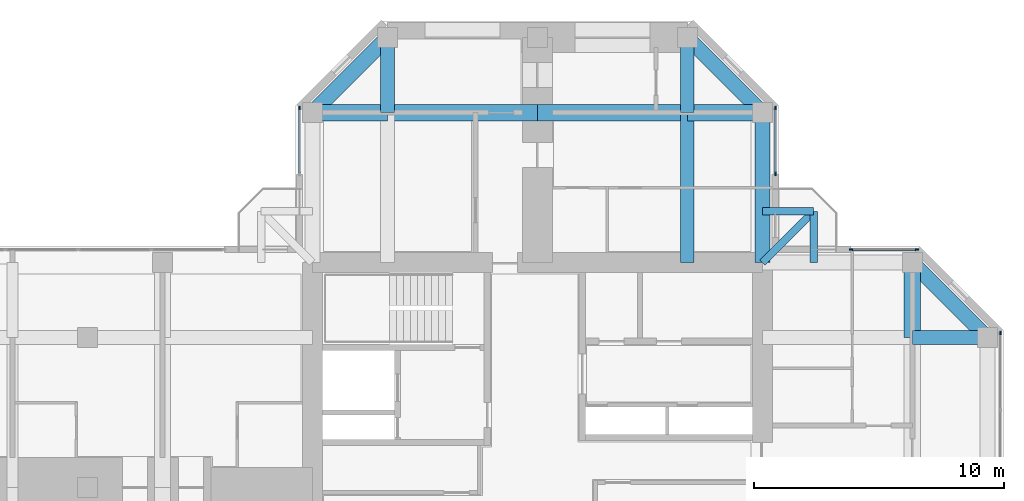
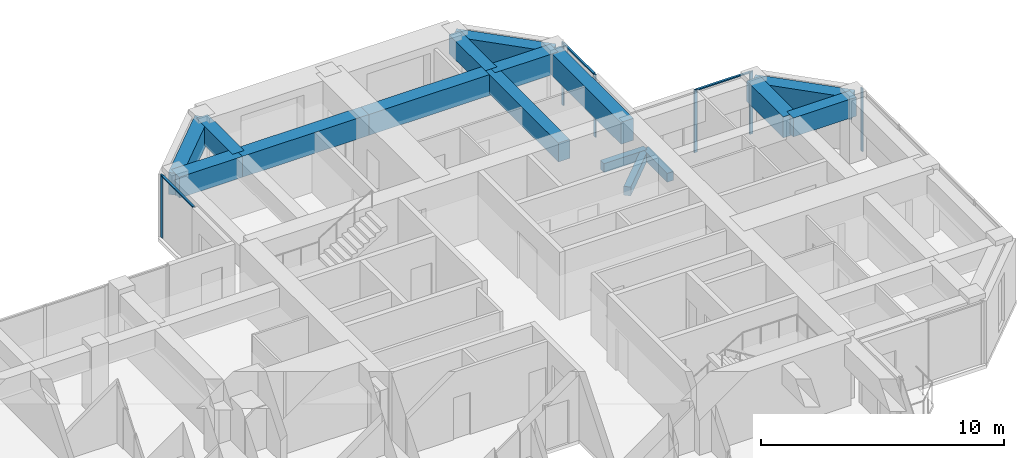
# One storey, part 6 of 13: 16 beams, 9 members, 4 elements without a shape of their own.
"""IFC4 building model written with IfcOpenShell, lengths in metres."""

from ifc_helpers import new_model, si_unit, direction, frame, origin, origin_2d, place, context, subcontext, project, spatial, rectangle, extrude, material, material_profile, profile_set, type_object, element, aggregate, save


model = new_model("IFC4")

# Units and contexts
model_context = context("Model", 3, precision=1e-05, world=origin(), true_north=direction((0.0, 1.0)))
body_context = subcontext(model_context, "Body", "Model", "MODEL_VIEW")
ifc_project = project(units=[si_unit("LENGTHUNIT", "METRE"), si_unit("AREAUNIT", "SQUARE_METRE"), si_unit("VOLUMEUNIT", "CUBIC_METRE"), si_unit("PLANEANGLEUNIT", "RADIAN"), si_unit("MASSUNIT", "GRAM", prefix="KILO")], contexts=[model_context])

# Site, building, storey
site_placement = place(None, origin())
site = spatial("IfcSite", under=ifc_project, at=site_placement, CompositionType="ELEMENT")
building_placement = place(site_placement, origin())
building = spatial("IfcBuilding", under=site, at=building_placement, Name="Torre Cruceta", CompositionType="ELEMENT")
storey_placement = place(building_placement, frame((0.0, 0.0, 249.300048828125)))
storey = spatial("IfcBuildingStorey", under=building, at=storey_placement, Name="L64", CompositionType="ELEMENT", Elevation=249.300048828125)

# Beams
ifc_material_1 = material(Name="Concrete G60 (fck 60 MPa)", Category="concrete")
ifc_material_profile_1 = material_profile(ifc_material_1, rectangle(XDim=0.300048828125, YDim=0.449951171875, at=origin_2d()), Name="RC 300X450")
ifc_profile_set_1 = profile_set([ifc_material_profile_1], Name="Concrete G60 (fck 60 MPa)")
beam_type_1 = type_object("IfcBeamType", Name="BALCONY CANTILEVER BEAM RC 300X450", PredefinedType="BEAM", material=ifc_profile_set_1)
beam_1_placement = place(storey_placement, frame((9.0, 9.0, -0.405029296875), z_axis=(0.707106781187, 0.707106781187, 0.0), x_axis=(-0.707106781187, 0.707106781187, 0.0)))
element("IfcBeam", 1, at=beam_1_placement, inside=storey, type_object=beam_type_1, Name="BB1 balcony beam L64 E", PredefinedType="BEAM", context=body_context, shape_type="SweptSolid", body=[
    extrude(rectangle(XDim=0.300048828125, YDim=0.449951171875, at=origin_2d()), origin(), (0.0, 0.0, 1.0), 2.89990234375),
])
for number, where, z_axis, x_axis, name in (
    (2, (11.050537109375, 9.0, -0.405029296875), (0.0, 1.0, 0.0), (-1.0, 0.0, 0.0), "BB1 balcony edge beam L64 E-X"),
    (3, (9.0, 11.050537109375, -0.405029296875), (1.0, 0.0, 0.0), (0.0, 1.0, 0.0), "BB1 balcony edge beam L64 E-Y"),
):
    element("IfcBeam", number, at=place(storey_placement, frame(where, z_axis=z_axis, x_axis=x_axis)), inside=storey, type_object=beam_type_1, Name=name, PredefinedType="BEAM", context=body_context, shape_type="SweptSolid", body=[
        extrude(rectangle(XDim=0.300048828125, YDim=0.449951171875, at=origin_2d()), origin(), (0.0, 0.0, 1.0), 2.050537109375),
    ])
ifc_material_2 = material(Name="Concrete G60 (fck 60 MPa)", Category="concrete")
ifc_material_profile_2 = material_profile(ifc_material_2, rectangle(XDim=0.550048828125, YDim=0.949951171875, at=origin_2d()), Name="RC 550X950")
ifc_profile_set_2 = profile_set([ifc_material_profile_2], Name="Concrete G60 (fck 60 MPa)")
beam_type_2 = type_object("IfcBeamType", Name="COLUMN LINE BEAM RC 550X950", PredefinedType="BEAM", material=ifc_profile_set_2)
beam_2_placement = place(storey_placement, frame((6.0, 9.0, 2.675048828125), z_axis=(0.0, 1.0, 0.0), x_axis=(-1.0, 0.0, 0.0)))
element("IfcBeam", 4, at=beam_2_placement, inside=storey, type_object=beam_type_2, Name="LB3 L64 N col- 1", PredefinedType="BEAM", context=body_context, shape_type="SweptSolid", body=[
    extrude(rectangle(XDim=0.550048828125, YDim=0.949951171875, at=origin_2d()), origin(), (0.0, 0.0, 1.0), 6.0),
])
for number, where, z_axis, x_axis, name in (
    (5, (6.0, 15.0, 2.675048828125), (0.0, 1.0, 0.0), (-1.0, 0.0, 0.0), "LB3 L64 N col- 2"),
    (6, (-6.0, 15.0, 2.675048828125), (0.0, 1.0, 0.0), (-1.0, 0.0, 0.0), "LB3 L64 N col+ 2"),
    (7, (15.0, 6.0, 2.675048828125), (1.0, 0.0, 0.0), (0.0, 1.0, 0.0), "LB3 L64 E col+ 2"),
):
    element("IfcBeam", number, at=place(storey_placement, frame(where, z_axis=z_axis, x_axis=x_axis)), inside=storey, type_object=beam_type_2, Name=name, PredefinedType="BEAM", context=body_context, shape_type="SweptSolid", body=[
        extrude(rectangle(XDim=0.550048828125, YDim=0.949951171875, at=origin_2d()), origin(), (0.0, 0.0, 1.0), 3.0),
    ])
ifc_material_3 = material(Name="Concrete G60 (fck 60 MPa)", Category="concrete")
ifc_material_profile_3 = material_profile(ifc_material_3, rectangle(XDim=0.64990234375, YDim=1.050048828125, at=origin_2d()), Name="RC 650X1050")
ifc_profile_set_3 = profile_set([ifc_material_profile_3], Name="Concrete G60 (fck 60 MPa)")
beam_type_3 = type_object("IfcBeamType", Name="CROSS BEAM RC 650X1050", PredefinedType="BEAM", material=ifc_profile_set_3)
beam_3_placement = place(storey_placement, frame((9.0, 15.0, 2.625), z_axis=(-1.0, 0.0, 0.0), x_axis=(0.0, -1.0, 0.0)))
element("IfcBeam", 8, at=beam_3_placement, inside=storey, type_object=beam_type_3, Name="GB3 L64 N cross15 1", PredefinedType="BEAM", context=body_context, shape_type="SweptSolid", body=[
    extrude(rectangle(XDim=0.64990234375, YDim=1.050048828125, at=origin_2d()), origin(), (0.0, 0.0, 1.0), 3.0),
])
for number, where, z_axis, x_axis, name in (
    (9, (6.0, 15.0, 2.625), (-1.0, 0.0, 0.0), (0.0, -1.0, 0.0), "GB3 L64 N cross15 2"),
    (10, (0.0, 15.0, 2.625), (-1.0, 0.0, 0.0), (0.0, -1.0, 0.0), "GB3 L64 N cross15 3"),
):
    element("IfcBeam", number, at=place(storey_placement, frame(where, z_axis=z_axis, x_axis=x_axis)), inside=storey, type_object=beam_type_3, Name=name, PredefinedType="BEAM", context=body_context, shape_type="SweptSolid", body=[
        extrude(rectangle(XDim=0.64990234375, YDim=1.050048828125, at=origin_2d()), origin(), (0.0, 0.0, 1.0), 6.0),
    ])
for number, where, z_axis, x_axis, name in (
    (11, (-6.0, 15.0, 2.625), (-1.0, 0.0, 0.0), (0.0, -1.0, 0.0), "GB3 L64 N cross15 4"),
    (12, (15.0, 6.0, 2.625), (0.0, 1.0, 0.0), (-1.0, 0.0, 0.0), "GB3 L64 E cross15 4"),
):
    element("IfcBeam", number, at=place(storey_placement, frame(where, z_axis=z_axis, x_axis=x_axis)), inside=storey, type_object=beam_type_3, Name=name, PredefinedType="BEAM", context=body_context, shape_type="SweptSolid", body=[
        extrude(rectangle(XDim=0.64990234375, YDim=1.050048828125, at=origin_2d()), origin(), (0.0, 0.0, 1.0), 3.0),
    ])

# Curtain wall, member
ifc_material_4 = material(Name="Aluminium unitised curtain wall", Category="aluminium")
curtain_wall_type = type_object("IfcCurtainWallType", Name="CURTAIN WALL CW-D CO-LIVING UPPER", PredefinedType="USERDEFINED", material=ifc_material_4)
curtain_wall_1_placement = place(storey_placement, origin())
curtain_wall_1 = element("IfcCurtainWall", 13, at=curtain_wall_1_placement, inside=storey, type_object=curtain_wall_type, Name="CW-D L64 E tip 02", ObjectType="UNITISED", PredefinedType="USERDEFINED")
ifc_material_5 = material(Name="Aluminium mullion", Category="aluminium")
ifc_material_profile_4 = material_profile(ifc_material_5, rectangle(XDim=0.06005859375, YDim=0.14990234375, at=origin_2d()), Name="AL 60X150")
ifc_profile_set_4 = profile_set([ifc_material_profile_4], Name="Aluminium mullion")
member_type_1 = type_object("IfcMemberType", Name="CW-D MULLION 60X150", PredefinedType="MULLION", material=ifc_profile_set_4)
member_1_placement = place(storey_placement, frame((18.52001953125, 6.185302734375, 0.0), z_axis=(0.0, 0.0, 1.0), x_axis=(-1.0, 0.0, 0.0)))
member_1 = element("IfcMember", 14, at=member_1_placement, type_object=member_type_1, Name="CW-D mullion 5", PredefinedType="MULLION", context=body_context, shape_type="SweptSolid", body=[
    extrude(rectangle(XDim=0.06005859375, YDim=0.14990234375, at=origin_2d()), origin(), (0.0, 0.0, 1.0), 3.14990234375),
])
aggregate(curtain_wall_1, [member_1])

# Curtain wall, members
curtain_wall_2_placement = place(storey_placement, origin())
curtain_wall_2 = element("IfcCurtainWall", 15, at=curtain_wall_2_placement, inside=storey, type_object=curtain_wall_type, Name="CW-D L64 E side 04", ObjectType="UNITISED", PredefinedType="USERDEFINED")
member_2_placement = place(storey_placement, frame((15.185302734375, 9.52001953125, 0.0), z_axis=(0.0, 0.0, 1.0), x_axis=(0.0, -1.0, 0.0)))
member_2 = element("IfcMember", 16, at=member_2_placement, type_object=member_type_1, Name="CW-D mullion 1", PredefinedType="MULLION", context=body_context, shape_type="SweptSolid", body=[
    extrude(rectangle(XDim=0.06005859375, YDim=0.14990234375, at=origin_2d()), origin(), (0.0, 0.0, 1.0), 3.14990234375),
])
member_3_placement = place(storey_placement, frame((12.550048828125, 9.52001953125, 0.0), z_axis=(0.0, 0.0, 1.0), x_axis=(0.0, -1.0, 0.0)))
member_3 = element("IfcMember", 17, at=member_3_placement, type_object=member_type_1, Name="CW-D mullion 2", PredefinedType="MULLION", context=body_context, shape_type="SweptSolid", body=[
    extrude(rectangle(XDim=0.06005859375, YDim=0.14990234375, at=origin_2d()), origin(), (0.0, 0.0, 1.0), 3.14990234375),
])

curtain_wall_3_placement = place(storey_placement, origin())
curtain_wall_3 = element("IfcCurtainWall", 18, at=curtain_wall_3_placement, inside=storey, type_object=curtain_wall_type, Name="CW-D L64 N side 05", ObjectType="UNITISED", PredefinedType="USERDEFINED")
member_4_placement = place(storey_placement, frame((9.52001953125, 12.550048828125, 0.0), z_axis=(0.0, 0.0, 1.0), x_axis=(-1.0, 0.0, 0.0)))
member_4 = element("IfcMember", 19, at=member_4_placement, type_object=member_type_1, Name="CW-D mullion 1", PredefinedType="MULLION", context=body_context, shape_type="SweptSolid", body=[
    extrude(rectangle(XDim=0.06005859375, YDim=0.14990234375, at=origin_2d()), origin(), (0.0, 0.0, 1.0), 3.14990234375),
])
member_5_placement = place(storey_placement, frame((9.52001953125, 15.185302734375, 0.0), z_axis=(0.0, 0.0, 1.0), x_axis=(-1.0, 0.0, 0.0)))
member_5 = element("IfcMember", 20, at=member_5_placement, type_object=member_type_1, Name="CW-D mullion 2", PredefinedType="MULLION", context=body_context, shape_type="SweptSolid", body=[
    extrude(rectangle(XDim=0.06005859375, YDim=0.14990234375, at=origin_2d()), origin(), (0.0, 0.0, 1.0), 3.14990234375),
])

# Curtain wall, member
curtain_wall_4_placement = place(storey_placement, origin())
curtain_wall_4 = element("IfcCurtainWall", 21, at=curtain_wall_4_placement, inside=storey, type_object=curtain_wall_type, Name="CW-D L64 N side 09", ObjectType="UNITISED", PredefinedType="USERDEFINED")
member_6_placement = place(storey_placement, frame((-9.52001953125, 15.185302734375, 0.0), z_axis=(0.0, 0.0, 1.0), x_axis=(1.0, 0.0, 0.0)))
member_6 = element("IfcMember", 22, at=member_6_placement, type_object=member_type_1, Name="CW-D mullion 1", PredefinedType="MULLION", context=body_context, shape_type="SweptSolid", body=[
    extrude(rectangle(XDim=0.06005859375, YDim=0.14990234375, at=origin_2d()), origin(), (0.0, 0.0, 1.0), 3.14990234375),
])

# Member
ifc_material_6 = material(Name="Aluminium transom", Category="aluminium")
ifc_material_profile_5 = material_profile(ifc_material_6, rectangle(XDim=0.10009765625, YDim=0.06005859375, at=origin_2d()), Name="AL 100X60")
ifc_profile_set_5 = profile_set([ifc_material_profile_5], Name="Aluminium transom")
member_type_2 = type_object("IfcMemberType", Name="CW-D TRANSOM 60X100", PredefinedType="USERDEFINED", material=ifc_profile_set_5)
member_7_placement = place(storey_placement, frame((15.1552734375, 9.52001953125, 3.119873046875), z_axis=(-1.0, 0.0, 0.0), x_axis=(0.0, -1.0, 0.0)))
member_7 = element("IfcMember", 23, at=member_7_placement, type_object=member_type_2, Name="CW-D transom 1", ObjectType="TRANSOM", PredefinedType="USERDEFINED", context=body_context, shape_type="SweptSolid", body=[
    extrude(rectangle(XDim=0.10009765625, YDim=0.06005859375, at=origin_2d()), origin(), (0.0, 0.0, 1.0), 2.5751953125),
])

aggregate(curtain_wall_2, [member_2, member_3, member_7])

member_8_placement = place(storey_placement, frame((9.52001953125, 12.580078125, 3.119873046875), z_axis=(0.0, 1.0, 0.0), x_axis=(-1.0, 0.0, 0.0)))
member_8 = element("IfcMember", 24, at=member_8_placement, type_object=member_type_2, Name="CW-D transom 1", ObjectType="TRANSOM", PredefinedType="USERDEFINED", context=body_context, shape_type="SweptSolid", body=[
    extrude(rectangle(XDim=0.10009765625, YDim=0.06005859375, at=origin_2d()), origin(), (0.0, 0.0, 1.0), 2.5751953125),
])

aggregate(curtain_wall_3, [member_4, member_5, member_8])

member_9_placement = place(storey_placement, frame((-9.52001953125, 15.1552734375, 3.119873046875), z_axis=(0.0, -1.0, 0.0), x_axis=(1.0, 0.0, 0.0)))
member_9 = element("IfcMember", 25, at=member_9_placement, type_object=member_type_2, Name="CW-D transom 1", ObjectType="TRANSOM", PredefinedType="USERDEFINED", context=body_context, shape_type="SweptSolid", body=[
    extrude(rectangle(XDim=0.10009765625, YDim=0.06005859375, at=origin_2d()), origin(), (0.0, 0.0, 1.0), 2.5751953125),
])

aggregate(curtain_wall_4, [member_6, member_9])

# Beams
ifc_material_7 = material(Name="Concrete G60 (fck 60 MPa)", Category="concrete")
ifc_material_profile_6 = material_profile(ifc_material_7, rectangle(XDim=0.60009765625, YDim=1.10009765625, at=origin_2d()), Name="RC 600X1100")
ifc_profile_set_6 = profile_set([ifc_material_profile_6], Name="Concrete G60 (fck 60 MPa)")
beam_type_4 = type_object("IfcBeamType", Name="SPANDREL BEAM RC 600X1100", PredefinedType="SPANDREL", material=ifc_profile_set_6)
beam_4_placement = place(storey_placement, frame((9.0, 9.0, 2.599853515625), z_axis=(0.0, 1.0, 0.0), x_axis=(-1.0, 0.0, 0.0)))
element("IfcBeam", 26, at=beam_4_placement, inside=storey, type_object=beam_type_4, Name="SB2 L64 N side- 1", PredefinedType="SPANDREL", context=body_context, shape_type="SweptSolid", body=[
    extrude(rectangle(XDim=0.60009765625, YDim=1.10009765625, at=origin_2d()), origin(), (0.0, 0.0, 1.0), 6.0),
])
for number, where, z_axis, x_axis, name in (
    (27, (9.0, 15.0, 2.599853515625), (-0.707106781187, 0.707106781187, 0.0), (-0.707106781187, -0.707106781187, 0.0), "SB2 L64 N side- 2"),
    (28, (-9.0, 15.0, 2.599853515625), (0.707106781187, 0.707106781187, 0.0), (-0.707106781187, 0.707106781187, 0.0), "SB2 L64 N side+ 2"),
    (29, (15.0, 9.0, 2.599853515625), (0.707106781187, -0.707106781187, 0.0), (0.707106781187, 0.707106781187, 0.0), "SB2 L64 E side+ 2"),
):
    element("IfcBeam", number, at=place(storey_placement, frame(where, z_axis=z_axis, x_axis=x_axis)), inside=storey, type_object=beam_type_4, Name=name, PredefinedType="SPANDREL", context=body_context, shape_type="SweptSolid", body=[
        extrude(rectangle(XDim=0.60009765625, YDim=1.10009765625, at=origin_2d()), origin(), (0.0, 0.0, 1.0), 4.24267578125),
    ])

save(model, "model.ifc")
